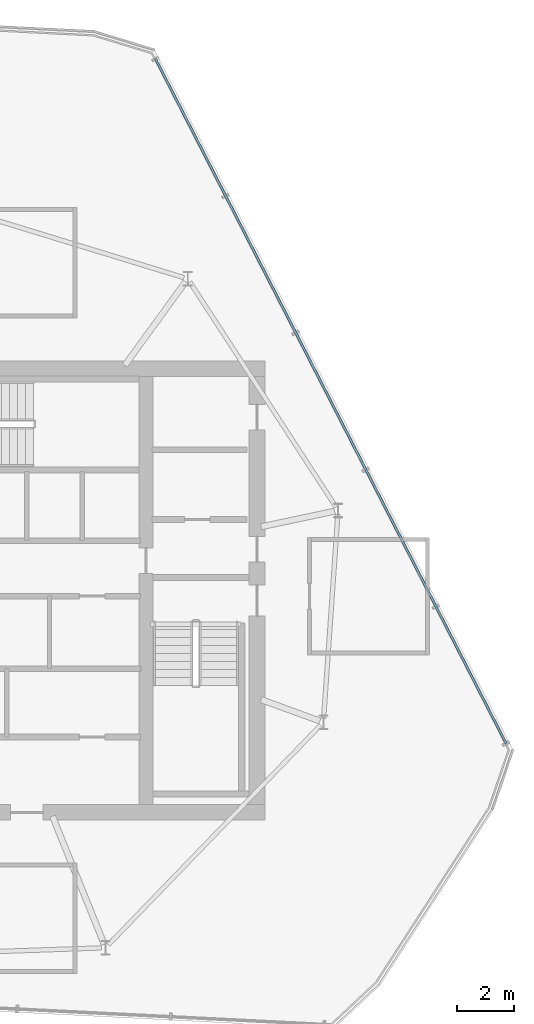
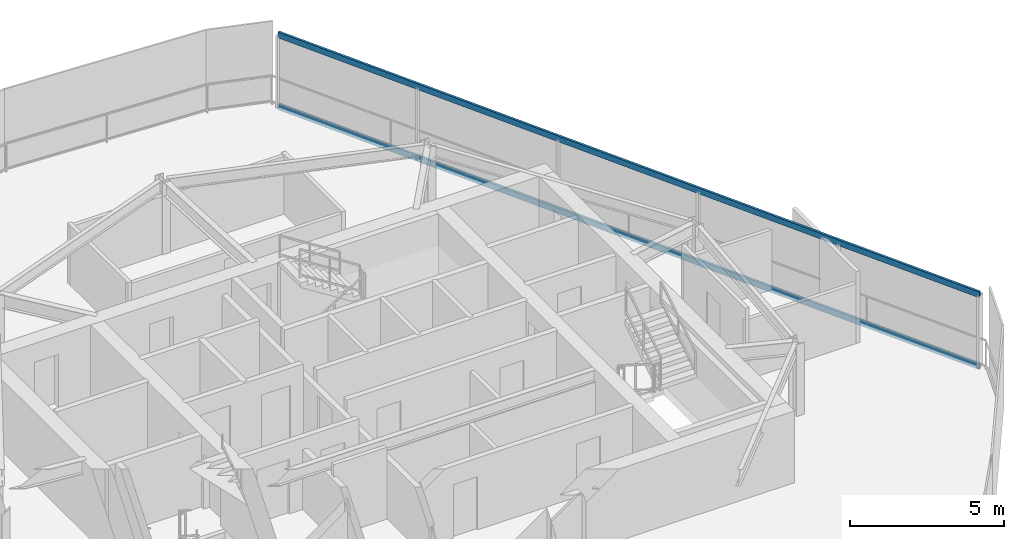
# One storey, part 11 of 16: 2 members, 1 element without a shape of its own.
"""IFC4 building model written with IfcOpenShell, lengths in metres."""

from ifc_helpers import new_model, si_unit, direction, frame, origin, origin_2d, place, context, subcontext, project, spatial, hollow_rectangle, extrude, material, layer, layer_set, material_profile, profile_set, type_object, element, aggregate, save


model = new_model("IFC4")

# Units and contexts
model_context = context("Model", 3, precision=1e-05, world=origin(), true_north=direction((0.0, 1.0)))
body_context = subcontext(model_context, "Body", "Model", "MODEL_VIEW")
ifc_project = project(units=[si_unit("LENGTHUNIT", "METRE"), si_unit("AREAUNIT", "SQUARE_METRE"), si_unit("VOLUMEUNIT", "CUBIC_METRE"), si_unit("PLANEANGLEUNIT", "RADIAN"), si_unit("MASSUNIT", "GRAM", prefix="KILO")], contexts=[model_context])

# Site, building, storey
site_placement = place(None, origin())
site = spatial("IfcSite", under=ifc_project, at=site_placement, CompositionType="ELEMENT")
building_placement = place(site_placement, origin())
building = spatial("IfcBuilding", under=site, at=building_placement, Name="Qarnah Convention Tower", CompositionType="ELEMENT")
storey_placement = place(building_placement, frame((0.0, 0.0, 283.5)))
storey = spatial("IfcBuildingStorey", under=building, at=storey_placement, Name="L76", CompositionType="ELEMENT", Elevation=283.5)

# Curtain wall, members
ifc_material_1 = material(Name="Tempered Low-E dark glass", Category="glass")
ifc_layer = layer(ifc_material_1, 0.177978515625)
ifc_layer_set = layer_set([ifc_layer], Name="Tempered Low-E dark glass")
curtain_wall_type = type_object("IfcCurtainWallType", Name="CWS-06", PredefinedType="NOTDEFINED", material=ifc_layer_set)
curtain_wall_placement = place(storey_placement, origin())
curtain_wall = element("IfcCurtainWall", 1, at=curtain_wall_placement, inside=storey, type_object=curtain_wall_type, Name="L76 unitised curtain wall CW-L76-F1", PredefinedType="NOTDEFINED")
ifc_material_2 = material(Name="Black anodised aluminium", Category="aluminium")
ifc_material_profile = material_profile(ifc_material_2, hollow_rectangle(XDim=0.0849609375, YDim=0.22998046875, WallThickness=0.006103515625, at=origin_2d()), Name="TRN-85X230")
ifc_profile_set = profile_set([ifc_material_profile], Name="Black anodised aluminium")
member_type = type_object("IfcMemberType", Name="TRN-T6", PredefinedType="USERDEFINED", material=ifc_profile_set)
member_1_placement = place(storey_placement, frame((44.029052734375, 45.093017578125, 0.0), z_axis=(0.455860698198, -0.890051135519, 0.0), x_axis=(0.890051135519, 0.455860698198, 0.0)))
member_1 = element("IfcMember", 2, at=member_1_placement, type_object=member_type, Name="CW-L76-F1 transom 1", ObjectType="TRANSOM", PredefinedType="USERDEFINED", context=body_context, shape_type="SweptSolid", body=[
    extrude(hollow_rectangle(XDim=0.0849609375, YDim=0.22998046875, WallThickness=0.006103515625, at=origin_2d()), origin(), (0.0, 0.0, 1.0), 27.050048828125),
])
member_2_placement = place(storey_placement, frame((44.029052734375, 45.093017578125, 2.840087890625), z_axis=(0.455860698198, -0.890051135519, 0.0), x_axis=(0.890051135519, 0.455860698198, 0.0)))
member_2 = element("IfcMember", 3, at=member_2_placement, type_object=member_type, Name="CW-L76-F1 transom 2", ObjectType="TRANSOM", PredefinedType="USERDEFINED", context=body_context, shape_type="SweptSolid", body=[
    extrude(hollow_rectangle(XDim=0.0849609375, YDim=0.22998046875, WallThickness=0.006103515625, at=origin_2d()), origin(), (0.0, 0.0, 1.0), 27.050048828125),
])
aggregate(curtain_wall, [member_1, member_2])

save(model, "model.ifc")
